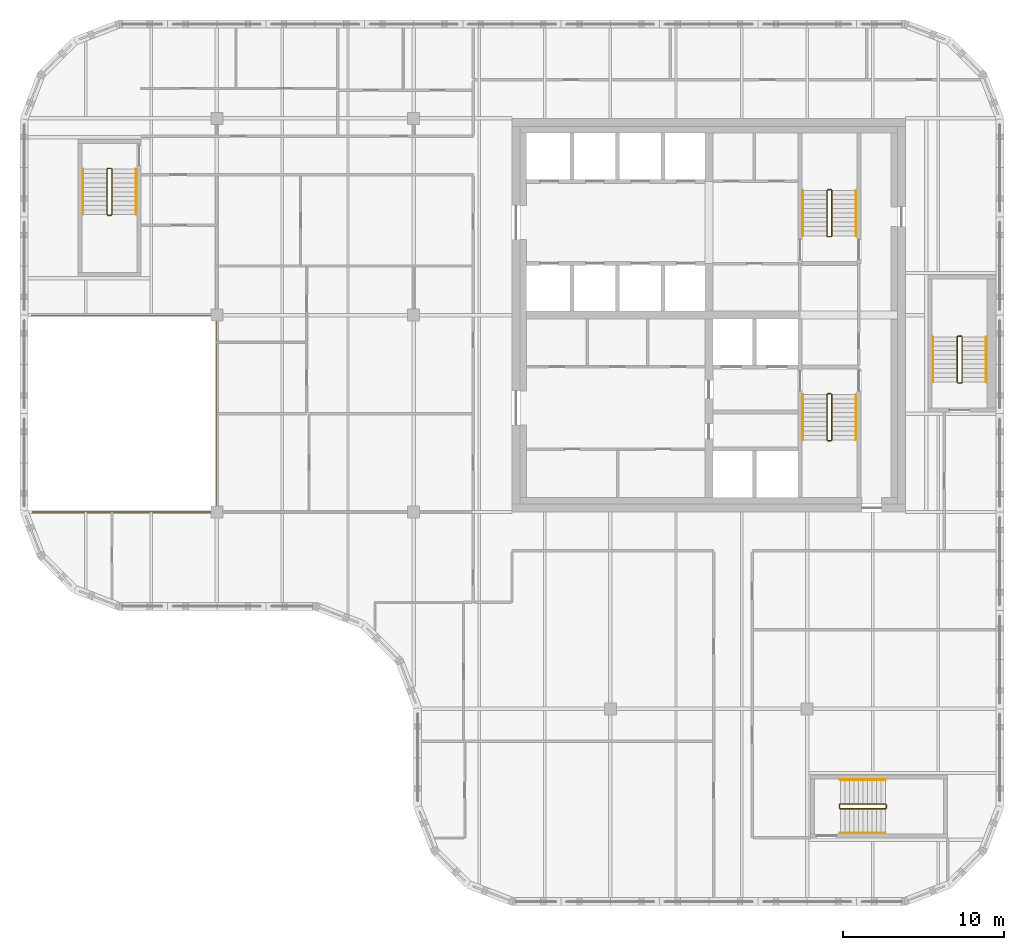
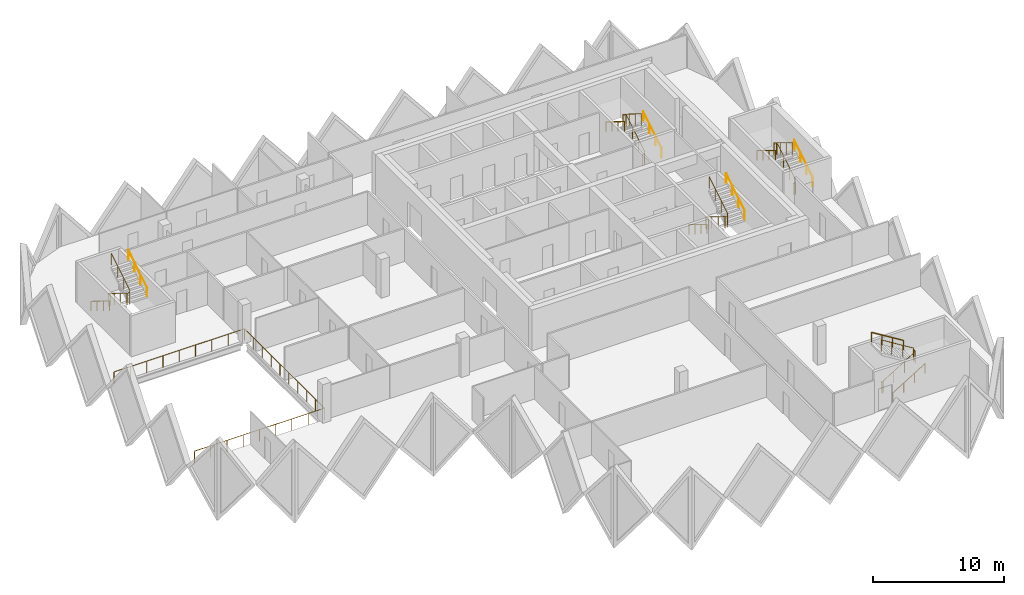
# One storey, part 12 of 12: 16 railings.
"""IFC4 building model written with IfcOpenShell, lengths in metres."""

from ifc_helpers import new_model, si_unit, direction, frame, origin, origin_2d, place, context, subcontext, project, spatial, circle, extrude, material, type_object, element, save


model = new_model("IFC4")

# Units and contexts
model_context = context("Model", 3, precision=1e-05, world=origin(), true_north=direction((0.0, 1.0)))
body_context = subcontext(model_context, "Body", "Model", "MODEL_VIEW")
ifc_project = project(units=[si_unit("LENGTHUNIT", "METRE"), si_unit("AREAUNIT", "SQUARE_METRE"), si_unit("VOLUMEUNIT", "CUBIC_METRE"), si_unit("PLANEANGLEUNIT", "RADIAN"), si_unit("MASSUNIT", "GRAM", prefix="KILO")], contexts=[model_context])

# Site, building, storey
site_placement = place(None, origin())
site = spatial("IfcSite", under=ifc_project, at=site_placement, CompositionType="ELEMENT")
building_placement = place(site_placement, origin())
building = spatial("IfcBuilding", under=site, at=building_placement, Name="Tessera Gate Towers", CompositionType="ELEMENT")
storey_placement = place(building_placement, frame((0.0, 0.0, 220.699951171875)))
storey = spatial("IfcBuildingStorey", under=building, at=storey_placement, Name="L55", CompositionType="ELEMENT", Elevation=220.699951171875)

# Railings
ifc_material_1 = material(Name="Toughened glass with stainless steel handrail", Category="steel")
railing_type_1 = type_object("IfcRailingType", Name="GUARD 1100 GLASS BALUSTRADE", PredefinedType="GUARDRAIL", material=ifc_material_1)
railing_1_placement = place(storey_placement, frame((0.750244140625, 24.39990234375, 0.0)))
element("IfcRailing", 1, at=railing_1_placement, inside=storey, type_object=railing_type_1, Name="Guard", PredefinedType="GUARDRAIL", context=body_context, shape_type="SweptSolid", body=[
    extrude(circle(Radius=0.02490234375, at=origin_2d()), frame((0.0, 0.0, 1.0751953125), z_axis=(1.0, 0.0, 0.0), x_axis=(0.0, 1.0, 0.0)), (0.0, 0.0, 1.0), 11.44970703125),
    extrude(circle(Radius=0.02490234375, at=origin_2d()), frame((11.44970703125, 0.0, 1.0751953125), z_axis=(0.0, 1.0, 0.0), x_axis=(-1.0, 0.0, 0.0)), (0.0, 0.0, 1.0), 12.2001953125),
    extrude(circle(Radius=0.02490234375, at=origin_2d()), frame((11.44970703125, 12.2001953125, 1.0751953125), z_axis=(-1.0, 0.0, 0.0), x_axis=(0.0, -1.0, 0.0)), (0.0, 0.0, 1.0), 11.5),
    extrude(circle(Radius=0.02490234375, at=origin_2d()), origin(), (0.0, 0.0, 1.0), 1.050048828125),
    extrude(circle(Radius=0.02490234375, at=origin_2d()), frame((1.43115234375, 0.0, 0.0)), (0.0, 0.0, 1.0), 1.050048828125),
    extrude(circle(Radius=0.02490234375, at=origin_2d()), frame((2.8623046875, 0.0, 0.0)), (0.0, 0.0, 1.0), 1.050048828125),
    extrude(circle(Radius=0.02490234375, at=origin_2d()), frame((4.293701171875, 0.0, 0.0)), (0.0, 0.0, 1.0), 1.050048828125),
    extrude(circle(Radius=0.02490234375, at=origin_2d()), frame((5.724853515625, 0.0, 0.0)), (0.0, 0.0, 1.0), 1.050048828125),
    extrude(circle(Radius=0.02490234375, at=origin_2d()), frame((7.156005859375, 0.0, 0.0)), (0.0, 0.0, 1.0), 1.050048828125),
    extrude(circle(Radius=0.02490234375, at=origin_2d()), frame((8.58740234375, 0.0, 0.0)), (0.0, 0.0, 1.0), 1.050048828125),
    extrude(circle(Radius=0.02490234375, at=origin_2d()), frame((10.0185546875, 0.0, 0.0)), (0.0, 0.0, 1.0), 1.050048828125),
    extrude(circle(Radius=0.02490234375, at=origin_2d()), frame((11.44970703125, 0.0, 0.0)), (0.0, 0.0, 1.0), 1.050048828125),
    extrude(circle(Radius=0.02490234375, at=origin_2d()), frame((11.44970703125, 1.35546875, 0.0)), (0.0, 0.0, 1.0), 1.050048828125),
    extrude(circle(Radius=0.02490234375, at=origin_2d()), frame((11.44970703125, 2.711181640625, 0.0)), (0.0, 0.0, 1.0), 1.050048828125),
    extrude(circle(Radius=0.02490234375, at=origin_2d()), frame((11.44970703125, 4.066650390625, 0.0)), (0.0, 0.0, 1.0), 1.050048828125),
    extrude(circle(Radius=0.02490234375, at=origin_2d()), frame((11.44970703125, 5.42236328125, 0.0)), (0.0, 0.0, 1.0), 1.050048828125),
    extrude(circle(Radius=0.02490234375, at=origin_2d()), frame((11.44970703125, 6.77783203125, 0.0)), (0.0, 0.0, 1.0), 1.050048828125),
    extrude(circle(Radius=0.02490234375, at=origin_2d()), frame((11.44970703125, 8.133544921875, 0.0)), (0.0, 0.0, 1.0), 1.050048828125),
    extrude(circle(Radius=0.02490234375, at=origin_2d()), frame((11.44970703125, 9.489013671875, 0.0)), (0.0, 0.0, 1.0), 1.050048828125),
    extrude(circle(Radius=0.02490234375, at=origin_2d()), frame((11.44970703125, 10.8447265625, 0.0)), (0.0, 0.0, 1.0), 1.050048828125),
    extrude(circle(Radius=0.02490234375, at=origin_2d()), frame((11.44970703125, 12.2001953125, 0.0)), (0.0, 0.0, 1.0), 1.050048828125),
    extrude(circle(Radius=0.02490234375, at=origin_2d()), frame((10.01220703125, 12.2001953125, 0.0)), (0.0, 0.0, 1.0), 1.050048828125),
    extrude(circle(Radius=0.02490234375, at=origin_2d()), frame((8.57470703125, 12.2001953125, 0.0)), (0.0, 0.0, 1.0), 1.050048828125),
    extrude(circle(Radius=0.02490234375, at=origin_2d()), frame((7.13720703125, 12.2001953125, 0.0)), (0.0, 0.0, 1.0), 1.050048828125),
    extrude(circle(Radius=0.02490234375, at=origin_2d()), frame((5.69970703125, 12.2001953125, 0.0)), (0.0, 0.0, 1.0), 1.050048828125),
    extrude(circle(Radius=0.02490234375, at=origin_2d()), frame((4.26220703125, 12.2001953125, 0.0)), (0.0, 0.0, 1.0), 1.050048828125),
    extrude(circle(Radius=0.02490234375, at=origin_2d()), frame((2.82470703125, 12.2001953125, 0.0)), (0.0, 0.0, 1.0), 1.050048828125),
    extrude(circle(Radius=0.02490234375, at=origin_2d()), frame((1.38720703125, 12.2001953125, 0.0)), (0.0, 0.0, 1.0), 1.050048828125),
    extrude(circle(Radius=0.02490234375, at=origin_2d()), frame((-0.05029296875, 12.2001953125, 0.0)), (0.0, 0.0, 1.0), 1.050048828125),
])
ifc_material_2 = material(Name="Steel 350W", Category="steel")
railing_type_2 = type_object("IfcRailingType", Name="STAIR GUARD 1100", PredefinedType="GUARDRAIL", material=ifc_material_2)
railing_2_placement = place(storey_placement, frame((50.27490234375, 31.72509765625, 0.0)))
element("IfcRailing", 2, at=railing_2_placement, inside=storey, type_object=railing_type_2, Name="L55 ST1 stair guard 1", PredefinedType="GUARDRAIL", context=body_context, shape_type="SweptSolid", body=[
    extrude(circle(Radius=0.02392578125, at=origin_2d()), frame((0.0, 0.0, 1.076171875), z_axis=(-1.0, 0.0, 0.0), x_axis=(0.0, -1.0, 0.0)), (0.0, 0.0, 1.0), 0.199951171875),
    extrude(circle(Radius=0.02392578125, at=origin_2d()), frame((-0.199951171875, 0.0, 1.076171875), z_axis=(-0.267953482034, -0.267953482034, 0.925419830635), x_axis=(0.707106781187, -0.707106781187, 0.0)), (0.0, 0.0, 1.0), 0.186767578125),
    extrude(circle(Radius=0.02392578125, at=origin_2d()), frame((-0.25, -0.050048828125, 1.2490234375), z_axis=(0.0, -0.851089632645, 0.525020415988), x_axis=(1.0, 0.0, 0.0)), (0.0, 0.0, 1.0), 3.2900390625),
    extrude(circle(Radius=0.02392578125, at=origin_2d()), frame((-0.25, -2.85009765625, 2.97607421875), z_axis=(0.707106781187, -0.707106781187, 0.0), x_axis=(0.707106781187, 0.707106781187, 0.0)), (0.0, 0.0, 1.0), 0.07080078125),
    extrude(circle(Radius=0.02392578125, at=origin_2d()), frame((-0.199951171875, -2.900146484375, 2.97607421875), z_axis=(1.0, 0.0, 0.0), x_axis=(0.0, 1.0, 0.0)), (0.0, 0.0, 1.0), 0.199951171875),
    extrude(circle(Radius=0.02392578125, at=origin_2d()), frame((0.0, -2.900146484375, 2.97607421875), z_axis=(0.268277960024, 0.268277960024, 0.925231793839), x_axis=(-0.707106781187, 0.707106781187, 0.0)), (0.0, 0.0, 1.0), 0.1865234375),
    extrude(circle(Radius=0.02392578125, at=origin_2d()), frame((0.050048828125, -2.85009765625, 3.14892578125), z_axis=(0.0, 0.851089632645, 0.525020415988), x_axis=(-1.0, 0.0, 0.0)), (0.0, 0.0, 1.0), 3.2900390625),
    extrude(circle(Radius=0.02099609375, at=origin_2d()), origin(), (0.0, 0.0, 1.0), 1.052001953125),
    extrude(circle(Radius=0.02099609375, at=origin_2d()), frame((-0.199951171875, 0.0, 0.0)), (0.0, 0.0, 1.0), 1.052001953125),
    extrude(circle(Radius=0.02099609375, at=origin_2d()), frame((-0.25, -0.050048828125, 0.1728515625)), (0.0, 0.0, 1.0), 1.052001953125),
    extrude(circle(Radius=0.02099609375, at=origin_2d()), frame((-0.25, -0.9833984375, 0.74853515625)), (0.0, 0.0, 1.0), 1.052001953125),
    extrude(circle(Radius=0.02099609375, at=origin_2d()), frame((-0.25, -1.916748046875, 1.324462890625)), (0.0, 0.0, 1.0), 1.052001953125),
    extrude(circle(Radius=0.02099609375, at=origin_2d()), frame((-0.25, -2.85009765625, 1.900146484375)), (0.0, 0.0, 1.0), 1.052001953125),
    extrude(circle(Radius=0.02099609375, at=origin_2d()), frame((-0.199951171875, -2.900146484375, 1.900146484375)), (0.0, 0.0, 1.0), 1.052001953125),
    extrude(circle(Radius=0.02099609375, at=origin_2d()), frame((0.0, -2.900146484375, 1.900146484375)), (0.0, 0.0, 1.0), 1.052001953125),
    extrude(circle(Radius=0.02099609375, at=origin_2d()), frame((0.050048828125, -2.85009765625, 2.07275390625)), (0.0, 0.0, 1.0), 1.052001953125),
    extrude(circle(Radius=0.02099609375, at=origin_2d()), frame((0.050048828125, -1.916748046875, 2.6484375)), (0.0, 0.0, 1.0), 1.052001953125),
    extrude(circle(Radius=0.02099609375, at=origin_2d()), frame((0.050048828125, -0.9833984375, 3.224365234375)), (0.0, 0.0, 1.0), 1.052001953125),
    extrude(circle(Radius=0.02099609375, at=origin_2d()), frame((0.050048828125, -0.050048828125, 3.800048828125)), (0.0, 0.0, 1.0), 1.052001953125),
])
railing_3_placement = place(storey_placement, frame((50.074951171875, 41.47509765625, 0.0)))
element("IfcRailing", 3, at=railing_3_placement, inside=storey, type_object=railing_type_2, Name="L55 ST2 stair guard 1", PredefinedType="GUARDRAIL", context=body_context, shape_type="SweptSolid", body=[
    extrude(circle(Radius=0.02392578125, at=origin_2d()), frame((0.0, 0.0, 1.076171875), z_axis=(1.0, 0.0, 0.0), x_axis=(0.0, 1.0, 0.0)), (0.0, 0.0, 1.0), 0.199951171875),
    extrude(circle(Radius=0.02392578125, at=origin_2d()), frame((0.199951171875, 0.0, 1.076171875), z_axis=(0.268047150085, 0.266739603011, 0.925743328097), x_axis=(-0.705375805398, 0.708833529934, 0.0)), (0.0, 0.0, 1.0), 0.186767578125),
    extrude(circle(Radius=0.02392578125, at=origin_2d()), frame((0.25, 0.0498046875, 1.2490234375), z_axis=(0.0, 0.851089632645, 0.525020415988), x_axis=(-1.0, 0.0, 0.0)), (0.0, 0.0, 1.0), 3.2900390625),
    extrude(circle(Radius=0.02392578125, at=origin_2d()), frame((0.25, 2.849853515625, 2.97607421875), z_axis=(-0.707106781187, 0.707106781187, 0.0), x_axis=(-0.707106781187, -0.707106781187, 0.0)), (0.0, 0.0, 1.0), 0.07080078125),
    extrude(circle(Radius=0.02392578125, at=origin_2d()), frame((0.199951171875, 2.89990234375, 2.97607421875), z_axis=(-1.0, 0.0, 0.0), x_axis=(0.0, -1.0, 0.0)), (0.0, 0.0, 1.0), 0.199951171875),
    extrude(circle(Radius=0.02392578125, at=origin_2d()), frame((0.0, 2.89990234375, 2.97607421875), z_axis=(-0.268277960024, -0.268277960024, 0.925231793839), x_axis=(0.707106781187, -0.707106781187, 0.0)), (0.0, 0.0, 1.0), 0.1865234375),
    extrude(circle(Radius=0.02392578125, at=origin_2d()), frame((-0.050048828125, 2.849853515625, 3.14892578125), z_axis=(0.0, -0.851089632645, 0.525020415988), x_axis=(1.0, 0.0, 0.0)), (0.0, 0.0, 1.0), 3.2900390625),
    extrude(circle(Radius=0.02099609375, at=origin_2d()), origin(), (0.0, 0.0, 1.0), 1.052001953125),
    extrude(circle(Radius=0.02099609375, at=origin_2d()), frame((0.199951171875, 0.0, 0.0)), (0.0, 0.0, 1.0), 1.052001953125),
    extrude(circle(Radius=0.02099609375, at=origin_2d()), frame((0.25, 0.0498046875, 0.1728515625)), (0.0, 0.0, 1.0), 1.052001953125),
    extrude(circle(Radius=0.02099609375, at=origin_2d()), frame((0.25, 0.983154296875, 0.74853515625)), (0.0, 0.0, 1.0), 1.052001953125),
    extrude(circle(Radius=0.02099609375, at=origin_2d()), frame((0.25, 1.91650390625, 1.324462890625)), (0.0, 0.0, 1.0), 1.052001953125),
    extrude(circle(Radius=0.02099609375, at=origin_2d()), frame((0.25, 2.849853515625, 1.900146484375)), (0.0, 0.0, 1.0), 1.052001953125),
    extrude(circle(Radius=0.02099609375, at=origin_2d()), frame((0.199951171875, 2.89990234375, 1.900146484375)), (0.0, 0.0, 1.0), 1.052001953125),
    extrude(circle(Radius=0.02099609375, at=origin_2d()), frame((0.0, 2.89990234375, 1.900146484375)), (0.0, 0.0, 1.0), 1.052001953125),
    extrude(circle(Radius=0.02099609375, at=origin_2d()), frame((-0.050048828125, 2.849853515625, 2.07275390625)), (0.0, 0.0, 1.0), 1.052001953125),
    extrude(circle(Radius=0.02099609375, at=origin_2d()), frame((-0.050048828125, 1.91650390625, 2.6484375)), (0.0, 0.0, 1.0), 1.052001953125),
    extrude(circle(Radius=0.02099609375, at=origin_2d()), frame((-0.050048828125, 0.983154296875, 3.224365234375)), (0.0, 0.0, 1.0), 1.052001953125),
    extrude(circle(Radius=0.02099609375, at=origin_2d()), frame((-0.050048828125, 0.0498046875, 3.800048828125)), (0.0, 0.0, 1.0), 1.052001953125),
])
railing_4_placement = place(storey_placement, frame((5.64990234375, 45.699951171875, 0.0)))
element("IfcRailing", 4, at=railing_4_placement, inside=storey, type_object=railing_type_2, Name="L55 ST3 stair guard 1", PredefinedType="GUARDRAIL", context=body_context, shape_type="SweptSolid", body=[
    extrude(circle(Radius=0.02392578125, at=origin_2d()), frame((0.0, 0.0, 1.076171875), z_axis=(-1.0, 0.0, 0.0), x_axis=(0.0, -1.0, 0.0)), (0.0, 0.0, 1.0), 0.199951171875),
    extrude(circle(Radius=0.02392578125, at=origin_2d()), frame((-0.199951171875, 0.0, 1.076171875), z_axis=(-0.267953482034, -0.267953482034, 0.925419830635), x_axis=(0.707106781187, -0.707106781187, 0.0)), (0.0, 0.0, 1.0), 0.186767578125),
    extrude(circle(Radius=0.02392578125, at=origin_2d()), frame((-0.25, -0.050048828125, 1.2490234375), z_axis=(0.0, -0.851069175582, 0.525053576669), x_axis=(1.0, 0.0, 0.0)), (0.0, 0.0, 1.0), 3.289794921875),
    extrude(circle(Radius=0.02392578125, at=origin_2d()), frame((-0.25, -2.849853515625, 2.97607421875), z_axis=(0.707106781187, -0.707106781187, 0.0), x_axis=(0.707106781187, 0.707106781187, 0.0)), (0.0, 0.0, 1.0), 0.07080078125),
    extrude(circle(Radius=0.02392578125, at=origin_2d()), frame((-0.199951171875, -2.89990234375, 2.97607421875), z_axis=(1.0, 0.0, 0.0), x_axis=(0.0, 1.0, 0.0)), (0.0, 0.0, 1.0), 0.199951171875),
    extrude(circle(Radius=0.02392578125, at=origin_2d()), frame((0.0, -2.89990234375, 2.97607421875), z_axis=(0.268277960024, 0.268277960024, 0.925231793839), x_axis=(-0.707106781187, 0.707106781187, 0.0)), (0.0, 0.0, 1.0), 0.1865234375),
    extrude(circle(Radius=0.02392578125, at=origin_2d()), frame((0.050048828125, -2.849853515625, 3.14892578125), z_axis=(0.0, 0.851069175582, 0.525053576669), x_axis=(-1.0, 0.0, 0.0)), (0.0, 0.0, 1.0), 3.289794921875),
    extrude(circle(Radius=0.02099609375, at=origin_2d()), origin(), (0.0, 0.0, 1.0), 1.052001953125),
    extrude(circle(Radius=0.02099609375, at=origin_2d()), frame((-0.199951171875, 0.0, 0.0)), (0.0, 0.0, 1.0), 1.052001953125),
    extrude(circle(Radius=0.02099609375, at=origin_2d()), frame((-0.25, -0.050048828125, 0.1728515625)), (0.0, 0.0, 1.0), 1.052001953125),
    extrude(circle(Radius=0.02099609375, at=origin_2d()), frame((-0.25, -0.9833984375, 0.74853515625)), (0.0, 0.0, 1.0), 1.052001953125),
    extrude(circle(Radius=0.02099609375, at=origin_2d()), frame((-0.25, -1.91650390625, 1.324462890625)), (0.0, 0.0, 1.0), 1.052001953125),
    extrude(circle(Radius=0.02099609375, at=origin_2d()), frame((-0.25, -2.849853515625, 1.900146484375)), (0.0, 0.0, 1.0), 1.052001953125),
    extrude(circle(Radius=0.02099609375, at=origin_2d()), frame((-0.199951171875, -2.89990234375, 1.900146484375)), (0.0, 0.0, 1.0), 1.052001953125),
    extrude(circle(Radius=0.02099609375, at=origin_2d()), frame((0.0, -2.89990234375, 1.900146484375)), (0.0, 0.0, 1.0), 1.052001953125),
    extrude(circle(Radius=0.02099609375, at=origin_2d()), frame((0.050048828125, -2.849853515625, 2.07275390625)), (0.0, 0.0, 1.0), 1.052001953125),
    extrude(circle(Radius=0.02099609375, at=origin_2d()), frame((0.050048828125, -1.91650390625, 2.6484375)), (0.0, 0.0, 1.0), 1.052001953125),
    extrude(circle(Radius=0.02099609375, at=origin_2d()), frame((0.050048828125, -0.9833984375, 3.224365234375)), (0.0, 0.0, 1.0), 1.052001953125),
    extrude(circle(Radius=0.02099609375, at=origin_2d()), frame((0.050048828125, -0.050048828125, 3.800048828125)), (0.0, 0.0, 1.0), 1.052001953125),
])
railing_5_placement = place(storey_placement, frame((50.800048828125, 6.25, 0.0)))
element("IfcRailing", 5, at=railing_5_placement, inside=storey, type_object=railing_type_2, Name="L55 ST4 stair guard 1", PredefinedType="GUARDRAIL", context=body_context, shape_type="SweptSolid", body=[
    extrude(circle(Radius=0.02392578125, at=origin_2d()), frame((0.0, 0.0, 1.076171875), z_axis=(0.0, -1.0, 0.0), x_axis=(1.0, 0.0, 0.0)), (0.0, 0.0, 1.0), 0.199951171875),
    extrude(circle(Radius=0.02392578125, at=origin_2d()), frame((0.0, -0.199951171875, 1.076171875), z_axis=(0.267953482034, -0.267953482034, 0.925419830635), x_axis=(0.707106781187, 0.707106781187, 0.0)), (0.0, 0.0, 1.0), 0.186767578125),
    extrude(circle(Radius=0.02392578125, at=origin_2d()), frame((0.050048828125, -0.25, 1.2490234375), z_axis=(0.851069175582, 0.0, 0.525053576669), x_axis=(0.0, 1.0, 0.0)), (0.0, 0.0, 1.0), 3.289794921875),
    extrude(circle(Radius=0.02392578125, at=origin_2d()), frame((2.849853515625, -0.25, 2.97607421875), z_axis=(0.707106781187, 0.707106781187, 0.0), x_axis=(-0.707106781187, 0.707106781187, 0.0)), (0.0, 0.0, 1.0), 0.07080078125),
    extrude(circle(Radius=0.02392578125, at=origin_2d()), frame((2.89990234375, -0.199951171875, 2.97607421875), z_axis=(0.0, 1.0, 0.0), x_axis=(-1.0, 0.0, 0.0)), (0.0, 0.0, 1.0), 0.199951171875),
    extrude(circle(Radius=0.02392578125, at=origin_2d()), frame((2.89990234375, 0.0, 2.97607421875), z_axis=(-0.268277960024, 0.268277960024, 0.925231793839), x_axis=(-0.707106781187, -0.707106781187, 0.0)), (0.0, 0.0, 1.0), 0.1865234375),
    extrude(circle(Radius=0.02392578125, at=origin_2d()), frame((2.849853515625, 0.050048828125, 3.14892578125), z_axis=(-0.851069175582, 0.0, 0.525053576669), x_axis=(0.0, -1.0, 0.0)), (0.0, 0.0, 1.0), 3.289794921875),
    extrude(circle(Radius=0.02099609375, at=origin_2d()), origin(), (0.0, 0.0, 1.0), 1.052001953125),
    extrude(circle(Radius=0.02099609375, at=origin_2d()), frame((0.0, -0.199951171875, 0.0)), (0.0, 0.0, 1.0), 1.052001953125),
    extrude(circle(Radius=0.02099609375, at=origin_2d()), frame((0.050048828125, -0.25, 0.1728515625)), (0.0, 0.0, 1.0), 1.052001953125),
    extrude(circle(Radius=0.02099609375, at=origin_2d()), frame((0.9833984375, -0.25, 0.74853515625)), (0.0, 0.0, 1.0), 1.052001953125),
    extrude(circle(Radius=0.02099609375, at=origin_2d()), frame((1.91650390625, -0.25, 1.324462890625)), (0.0, 0.0, 1.0), 1.052001953125),
    extrude(circle(Radius=0.02099609375, at=origin_2d()), frame((2.849853515625, -0.25, 1.900146484375)), (0.0, 0.0, 1.0), 1.052001953125),
    extrude(circle(Radius=0.02099609375, at=origin_2d()), frame((2.89990234375, -0.199951171875, 1.900146484375)), (0.0, 0.0, 1.0), 1.052001953125),
    extrude(circle(Radius=0.02099609375, at=origin_2d()), frame((2.89990234375, 0.0, 1.900146484375)), (0.0, 0.0, 1.0), 1.052001953125),
    extrude(circle(Radius=0.02099609375, at=origin_2d()), frame((2.849853515625, 0.050048828125, 2.07275390625)), (0.0, 0.0, 1.0), 1.052001953125),
    extrude(circle(Radius=0.02099609375, at=origin_2d()), frame((1.91650390625, 0.050048828125, 2.6484375)), (0.0, 0.0, 1.0), 1.052001953125),
    extrude(circle(Radius=0.02099609375, at=origin_2d()), frame((0.9833984375, 0.050048828125, 3.224365234375)), (0.0, 0.0, 1.0), 1.052001953125),
    extrude(circle(Radius=0.02099609375, at=origin_2d()), frame((0.050048828125, 0.050048828125, 3.800048828125)), (0.0, 0.0, 1.0), 1.052001953125),
])
railing_6_placement = place(storey_placement, frame((58.14990234375, 32.39990234375, 0.0)))
element("IfcRailing", 6, at=railing_6_placement, inside=storey, type_object=railing_type_2, Name="L55 ST5 stair guard 1", PredefinedType="GUARDRAIL", context=body_context, shape_type="SweptSolid", body=[
    extrude(circle(Radius=0.02392578125, at=origin_2d()), frame((0.0, 0.0, 1.076171875), z_axis=(1.0, 0.0, 0.0), x_axis=(0.0, 1.0, 0.0)), (0.0, 0.0, 1.0), 0.2001953125),
    extrude(circle(Radius=0.02392578125, at=origin_2d()), frame((0.2001953125, 0.0, 1.076171875), z_axis=(0.266739603011, 0.268047150085, 0.925743328097), x_axis=(-0.708833529934, 0.705375805398, 0.0)), (0.0, 0.0, 1.0), 0.186767578125),
    extrude(circle(Radius=0.02392578125, at=origin_2d()), frame((0.25, 0.050048828125, 1.2490234375), z_axis=(0.0, 0.851089632645, 0.525020415988), x_axis=(-1.0, 0.0, 0.0)), (0.0, 0.0, 1.0), 3.2900390625),
    extrude(circle(Radius=0.02392578125, at=origin_2d()), frame((0.25, 2.85009765625, 2.97607421875), z_axis=(-0.705375805398, 0.708833529934, 0.0), x_axis=(-0.708833529934, -0.705375805398, 0.0)), (0.0, 0.0, 1.0), 0.070556640625),
    extrude(circle(Radius=0.02392578125, at=origin_2d()), frame((0.2001953125, 2.900146484375, 2.97607421875), z_axis=(-1.0, 0.0, 0.0), x_axis=(0.0, -1.0, 0.0)), (0.0, 0.0, 1.0), 0.2001953125),
    extrude(circle(Radius=0.02392578125, at=origin_2d()), frame((0.0, 2.900146484375, 2.97607421875), z_axis=(-0.267062837333, -0.268371968888, 0.925556009775), x_axis=(0.708833529934, -0.705375805398, 0.0)), (0.0, 0.0, 1.0), 0.1865234375),
    extrude(circle(Radius=0.02392578125, at=origin_2d()), frame((-0.0498046875, 2.85009765625, 3.14892578125), z_axis=(0.0, -0.851089632645, 0.525020415988), x_axis=(1.0, 0.0, 0.0)), (0.0, 0.0, 1.0), 3.2900390625),
    extrude(circle(Radius=0.02099609375, at=origin_2d()), origin(), (0.0, 0.0, 1.0), 1.052001953125),
    extrude(circle(Radius=0.02099609375, at=origin_2d()), frame((0.2001953125, 0.0, 0.0)), (0.0, 0.0, 1.0), 1.052001953125),
    extrude(circle(Radius=0.02099609375, at=origin_2d()), frame((0.25, 0.050048828125, 0.1728515625)), (0.0, 0.0, 1.0), 1.052001953125),
    extrude(circle(Radius=0.02099609375, at=origin_2d()), frame((0.25, 0.9833984375, 0.74853515625)), (0.0, 0.0, 1.0), 1.052001953125),
    extrude(circle(Radius=0.02099609375, at=origin_2d()), frame((0.25, 1.916748046875, 1.324462890625)), (0.0, 0.0, 1.0), 1.052001953125),
    extrude(circle(Radius=0.02099609375, at=origin_2d()), frame((0.25, 2.85009765625, 1.900146484375)), (0.0, 0.0, 1.0), 1.052001953125),
    extrude(circle(Radius=0.02099609375, at=origin_2d()), frame((0.2001953125, 2.900146484375, 1.900146484375)), (0.0, 0.0, 1.0), 1.052001953125),
    extrude(circle(Radius=0.02099609375, at=origin_2d()), frame((0.0, 2.900146484375, 1.900146484375)), (0.0, 0.0, 1.0), 1.052001953125),
    extrude(circle(Radius=0.02099609375, at=origin_2d()), frame((-0.0498046875, 2.85009765625, 2.07275390625)), (0.0, 0.0, 1.0), 1.052001953125),
    extrude(circle(Radius=0.02099609375, at=origin_2d()), frame((-0.0498046875, 1.916748046875, 2.6484375)), (0.0, 0.0, 1.0), 1.052001953125),
    extrude(circle(Radius=0.02099609375, at=origin_2d()), frame((-0.0498046875, 0.9833984375, 3.224365234375)), (0.0, 0.0, 1.0), 1.052001953125),
    extrude(circle(Radius=0.02099609375, at=origin_2d()), frame((-0.0498046875, 0.050048828125, 3.800048828125)), (0.0, 0.0, 1.0), 1.052001953125),
])
ifc_material_3 = material(Name="Steel 350W", Category="steel")
railing_type_3 = type_object("IfcRailingType", Name="STAIR HANDRAIL 900", PredefinedType="HANDRAIL", material=ifc_material_3)
railing_7_placement = place(storey_placement, frame((48.52490234375, 31.675048828125, 0.1728515625)))
element("IfcRailing", 7, at=railing_7_placement, inside=storey, type_object=railing_type_3, Name="L55 ST1 stair handrail 1", PredefinedType="HANDRAIL", context=body_context, shape_type="SweptSolid", body=[
    extrude(circle(Radius=0.02392578125, at=origin_2d()), frame((0.0, 0.0, 0.8759765625), z_axis=(0.0, -0.851089632645, 0.525020415988), x_axis=(1.0, 0.0, 0.0)), (0.0, 0.0, 1.0), 3.2900390625),
    extrude(circle(Radius=0.02099609375, at=origin_2d()), origin(), (0.0, 0.0, 1.0), 0.851806640625),
    extrude(circle(Radius=0.02099609375, at=origin_2d()), frame((0.0, -0.933349609375, 0.57568359375)), (0.0, 0.0, 1.0), 0.851806640625),
    extrude(circle(Radius=0.02099609375, at=origin_2d()), frame((0.0, -1.86669921875, 1.151611328125)), (0.0, 0.0, 1.0), 0.851806640625),
    extrude(circle(Radius=0.02099609375, at=origin_2d()), frame((0.0, -2.800048828125, 1.727294921875)), (0.0, 0.0, 1.0), 0.851806640625),
])
for number, where, name in (
    (8, (51.824951171875, 28.875, 2.07275390625), "L55 ST1 stair handrail 2"),
    (9, (51.824951171875, 41.52490234375, 0.1728515625), "L55 ST2 stair handrail 1"),
):
    element("IfcRailing", number, at=place(storey_placement, frame(where)), inside=storey, type_object=railing_type_3, Name=name, PredefinedType="HANDRAIL", context=body_context, shape_type="SweptSolid", body=[
        extrude(circle(Radius=0.02392578125, at=origin_2d()), frame((0.0, 0.0, 0.8759765625), z_axis=(0.0, 0.851089632645, 0.525020415988), x_axis=(-1.0, 0.0, 0.0)), (0.0, 0.0, 1.0), 3.2900390625),
        extrude(circle(Radius=0.02099609375, at=origin_2d()), origin(), (0.0, 0.0, 1.0), 0.851806640625),
        extrude(circle(Radius=0.02099609375, at=origin_2d()), frame((0.0, 0.933349609375, 0.57568359375)), (0.0, 0.0, 1.0), 0.851806640625),
        extrude(circle(Radius=0.02099609375, at=origin_2d()), frame((0.0, 1.86669921875, 1.151611328125)), (0.0, 0.0, 1.0), 0.851806640625),
        extrude(circle(Radius=0.02099609375, at=origin_2d()), frame((0.0, 2.800048828125, 1.727294921875)), (0.0, 0.0, 1.0), 0.851806640625),
    ])
railing_8_placement = place(storey_placement, frame((48.52490234375, 44.324951171875, 2.07275390625)))
element("IfcRailing", 10, at=railing_8_placement, inside=storey, type_object=railing_type_3, Name="L55 ST2 stair handrail 2", PredefinedType="HANDRAIL", context=body_context, shape_type="SweptSolid", body=[
    extrude(circle(Radius=0.02392578125, at=origin_2d()), frame((0.0, 0.0, 0.8759765625), z_axis=(0.0, -0.851089632645, 0.525020415988), x_axis=(1.0, 0.0, 0.0)), (0.0, 0.0, 1.0), 3.2900390625),
    extrude(circle(Radius=0.02099609375, at=origin_2d()), origin(), (0.0, 0.0, 1.0), 0.851806640625),
    extrude(circle(Radius=0.02099609375, at=origin_2d()), frame((0.0, -0.933349609375, 0.57568359375)), (0.0, 0.0, 1.0), 0.851806640625),
    extrude(circle(Radius=0.02099609375, at=origin_2d()), frame((0.0, -1.86669921875, 1.151611328125)), (0.0, 0.0, 1.0), 0.851806640625),
    extrude(circle(Radius=0.02099609375, at=origin_2d()), frame((0.0, -2.800048828125, 1.727294921875)), (0.0, 0.0, 1.0), 0.851806640625),
])
railing_9_placement = place(storey_placement, frame((3.89990234375, 45.64990234375, 0.1728515625)))
element("IfcRailing", 11, at=railing_9_placement, inside=storey, type_object=railing_type_3, Name="L55 ST3 stair handrail 1", PredefinedType="HANDRAIL", context=body_context, shape_type="SweptSolid", body=[
    extrude(circle(Radius=0.02392578125, at=origin_2d()), frame((0.0, 0.0, 0.8759765625), z_axis=(0.0, -0.851069175582, 0.525053576669), x_axis=(1.0, 0.0, 0.0)), (0.0, 0.0, 1.0), 3.289794921875),
    extrude(circle(Radius=0.02099609375, at=origin_2d()), origin(), (0.0, 0.0, 1.0), 0.851806640625),
    extrude(circle(Radius=0.02099609375, at=origin_2d()), frame((0.0, -0.933349609375, 0.57568359375)), (0.0, 0.0, 1.0), 0.851806640625),
    extrude(circle(Radius=0.02099609375, at=origin_2d()), frame((0.0, -1.866455078125, 1.151611328125)), (0.0, 0.0, 1.0), 0.851806640625),
    extrude(circle(Radius=0.02099609375, at=origin_2d()), frame((0.0, -2.7998046875, 1.727294921875)), (0.0, 0.0, 1.0), 0.851806640625),
])
railing_10_placement = place(storey_placement, frame((7.199951171875, 42.85009765625, 2.07275390625)))
element("IfcRailing", 12, at=railing_10_placement, inside=storey, type_object=railing_type_3, Name="L55 ST3 stair handrail 2", PredefinedType="HANDRAIL", context=body_context, shape_type="SweptSolid", body=[
    extrude(circle(Radius=0.02392578125, at=origin_2d()), frame((0.0, 0.0, 0.8759765625), z_axis=(0.0, 0.851069175582, 0.525053576669), x_axis=(-1.0, 0.0, 0.0)), (0.0, 0.0, 1.0), 3.289794921875),
    extrude(circle(Radius=0.02099609375, at=origin_2d()), origin(), (0.0, 0.0, 1.0), 0.851806640625),
    extrude(circle(Radius=0.02099609375, at=origin_2d()), frame((0.0, 0.933349609375, 0.57568359375)), (0.0, 0.0, 1.0), 0.851806640625),
    extrude(circle(Radius=0.02099609375, at=origin_2d()), frame((0.0, 1.866455078125, 1.151611328125)), (0.0, 0.0, 1.0), 0.851806640625),
    extrude(circle(Radius=0.02099609375, at=origin_2d()), frame((0.0, 2.7998046875, 1.727294921875)), (0.0, 0.0, 1.0), 0.851806640625),
])
railing_11_placement = place(storey_placement, frame((50.85009765625, 4.5, 0.1728515625)))
element("IfcRailing", 13, at=railing_11_placement, inside=storey, type_object=railing_type_3, Name="L55 ST4 stair handrail 1", PredefinedType="HANDRAIL", context=body_context, shape_type="SweptSolid", body=[
    extrude(circle(Radius=0.02392578125, at=origin_2d()), frame((0.0, 0.0, 0.8759765625), z_axis=(0.851069175582, 0.0, 0.525053576669), x_axis=(0.0, 1.0, 0.0)), (0.0, 0.0, 1.0), 3.289794921875),
    extrude(circle(Radius=0.02099609375, at=origin_2d()), origin(), (0.0, 0.0, 1.0), 0.851806640625),
    extrude(circle(Radius=0.02099609375, at=origin_2d()), frame((0.933349609375, 0.0, 0.57568359375)), (0.0, 0.0, 1.0), 0.851806640625),
    extrude(circle(Radius=0.02099609375, at=origin_2d()), frame((1.866455078125, 0.0, 1.151611328125)), (0.0, 0.0, 1.0), 0.851806640625),
    extrude(circle(Radius=0.02099609375, at=origin_2d()), frame((2.7998046875, 0.0, 1.727294921875)), (0.0, 0.0, 1.0), 0.851806640625),
])
railing_12_placement = place(storey_placement, frame((53.64990234375, 7.800048828125, 2.07275390625)))
element("IfcRailing", 14, at=railing_12_placement, inside=storey, type_object=railing_type_3, Name="L55 ST4 stair handrail 2", PredefinedType="HANDRAIL", context=body_context, shape_type="SweptSolid", body=[
    extrude(circle(Radius=0.02392578125, at=origin_2d()), frame((0.0, 0.0, 0.8759765625), z_axis=(-0.851069175582, 0.0, 0.525053576669), x_axis=(0.0, -1.0, 0.0)), (0.0, 0.0, 1.0), 3.289794921875),
    extrude(circle(Radius=0.02099609375, at=origin_2d()), origin(), (0.0, 0.0, 1.0), 0.851806640625),
    extrude(circle(Radius=0.02099609375, at=origin_2d()), frame((-0.933349609375, 0.0, 0.57568359375)), (0.0, 0.0, 1.0), 0.851806640625),
    extrude(circle(Radius=0.02099609375, at=origin_2d()), frame((-1.866455078125, 0.0, 1.151611328125)), (0.0, 0.0, 1.0), 0.851806640625),
    extrude(circle(Radius=0.02099609375, at=origin_2d()), frame((-2.7998046875, 0.0, 1.727294921875)), (0.0, 0.0, 1.0), 0.851806640625),
])
railing_13_placement = place(storey_placement, frame((59.89990234375, 32.449951171875, 0.1728515625)))
element("IfcRailing", 15, at=railing_13_placement, inside=storey, type_object=railing_type_3, Name="L55 ST5 stair handrail 1", PredefinedType="HANDRAIL", context=body_context, shape_type="SweptSolid", body=[
    extrude(circle(Radius=0.02392578125, at=origin_2d()), frame((0.0, 0.0, 0.8759765625), z_axis=(0.0, 0.851089632645, 0.525020415988), x_axis=(-1.0, 0.0, 0.0)), (0.0, 0.0, 1.0), 3.2900390625),
    extrude(circle(Radius=0.02099609375, at=origin_2d()), origin(), (0.0, 0.0, 1.0), 0.851806640625),
    extrude(circle(Radius=0.02099609375, at=origin_2d()), frame((0.0, 0.933349609375, 0.57568359375)), (0.0, 0.0, 1.0), 0.851806640625),
    extrude(circle(Radius=0.02099609375, at=origin_2d()), frame((0.0, 1.86669921875, 1.151611328125)), (0.0, 0.0, 1.0), 0.851806640625),
    extrude(circle(Radius=0.02099609375, at=origin_2d()), frame((0.0, 2.800048828125, 1.727294921875)), (0.0, 0.0, 1.0), 0.851806640625),
])
railing_14_placement = place(storey_placement, frame((56.60009765625, 35.25, 2.07275390625)))
element("IfcRailing", 16, at=railing_14_placement, inside=storey, type_object=railing_type_3, Name="L55 ST5 stair handrail 2", PredefinedType="HANDRAIL", context=body_context, shape_type="SweptSolid", body=[
    extrude(circle(Radius=0.02392578125, at=origin_2d()), frame((0.0, 0.0, 0.8759765625), z_axis=(0.0, -0.851089632645, 0.525020415988), x_axis=(1.0, 0.0, 0.0)), (0.0, 0.0, 1.0), 3.2900390625),
    extrude(circle(Radius=0.02099609375, at=origin_2d()), origin(), (0.0, 0.0, 1.0), 0.851806640625),
    extrude(circle(Radius=0.02099609375, at=origin_2d()), frame((0.0, -0.933349609375, 0.57568359375)), (0.0, 0.0, 1.0), 0.851806640625),
    extrude(circle(Radius=0.02099609375, at=origin_2d()), frame((0.0, -1.86669921875, 1.151611328125)), (0.0, 0.0, 1.0), 0.851806640625),
    extrude(circle(Radius=0.02099609375, at=origin_2d()), frame((0.0, -2.800048828125, 1.727294921875)), (0.0, 0.0, 1.0), 0.851806640625),
])

save(model, "model.ifc")
